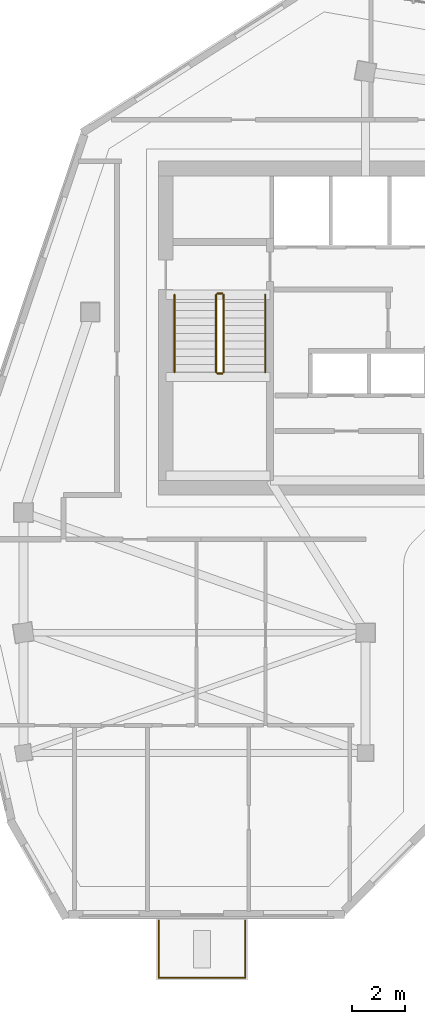
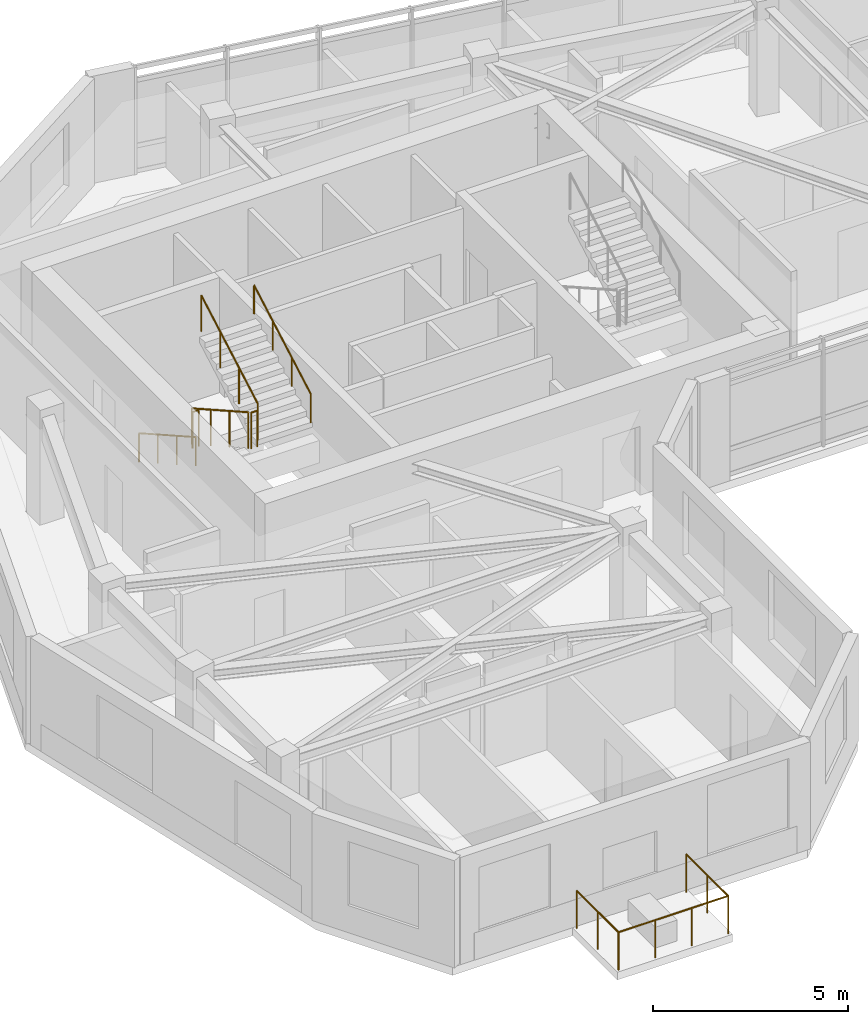
# One storey, part 8 of 10: 9 railings.
"""IFC4 building model written with IfcOpenShell, lengths in metres."""

from ifc_helpers import new_model, si_unit, direction, frame, origin, origin_2d, place, context, subcontext, project, spatial, circle, extrude, material, type_object, element, save


model = new_model("IFC4")

# Units and contexts
model_context = context("Model", 3, precision=1e-05, world=origin(), true_north=direction((0.0, 1.0)))
body_context = subcontext(model_context, "Body", "Model", "MODEL_VIEW")
ifc_project = project(units=[si_unit("LENGTHUNIT", "METRE"), si_unit("AREAUNIT", "SQUARE_METRE"), si_unit("VOLUMEUNIT", "CUBIC_METRE"), si_unit("PLANEANGLEUNIT", "RADIAN"), si_unit("MASSUNIT", "GRAM", prefix="KILO")], contexts=[model_context])

# Site, building, storey
site_placement = place(None, origin())
site = spatial("IfcSite", under=ifc_project, at=site_placement, CompositionType="ELEMENT")
building_placement = place(site_placement, origin())
building = spatial("IfcBuilding", under=site, at=building_placement, Name="Calvemar Wedge Station Tower", CompositionType="ELEMENT")
storey_placement = place(building_placement, frame((0.0, 0.0, 252.89990234375)))
storey = spatial("IfcBuildingStorey", under=building, at=storey_placement, Name="L64", CompositionType="ELEMENT", Elevation=252.89990234375)

# Railings
ifc_material_1 = material(Name="Stainless steel AISI 316L", Category="steel")
railing_type_1 = type_object("IfcRailingType", Name="GRD-TERR-1200", PredefinedType="GUARDRAIL", material=ifc_material_1)
railing_1_placement = place(storey_placement, frame((19.302001953125, 17.719970703125, 0.0)))
element("IfcRailing", 1, at=railing_1_placement, inside=storey, type_object=railing_type_1, Name="Storey L64 Spiral Terrace Guard 2", PredefinedType="GUARDRAIL", context=body_context, shape_type="SweptSolid", body=[
    extrude(circle(Radius=0.02392578125, at=origin_2d()), frame((0.0, 0.0, 1.17578125), z_axis=(0.0, -1.0, 0.0), x_axis=(1.0, 0.0, 0.0)), (0.0, 0.0, 1.0), 2.139892578125),
    extrude(circle(Radius=0.02099609375, at=origin_2d()), origin(), (0.0, 0.0, 1.0), 1.15185546875),
    extrude(circle(Radius=0.02099609375, at=origin_2d()), frame((0.0, -1.06982421875, 0.0)), (0.0, 0.0, 1.0), 1.15185546875),
    extrude(circle(Radius=0.02099609375, at=origin_2d()), frame((0.0, -2.139892578125, 0.0)), (0.0, 0.0, 1.0), 1.15185546875),
])
railing_2_placement = place(storey_placement, frame((19.302001953125, 15.580078125, 0.0)))
element("IfcRailing", 2, at=railing_2_placement, inside=storey, type_object=railing_type_1, Name="Storey L64 Spiral Terrace Guard 3", PredefinedType="GUARDRAIL", context=body_context, shape_type="SweptSolid", body=[
    extrude(circle(Radius=0.02392578125, at=origin_2d()), frame((0.0, 0.0, 1.17578125), z_axis=(-1.0, 0.0, 0.0), x_axis=(0.0, -1.0, 0.0)), (0.0, 0.0, 1.0), 3.239990234375),
    extrude(circle(Radius=0.02099609375, at=origin_2d()), origin(), (0.0, 0.0, 1.0), 1.15185546875),
    extrude(circle(Radius=0.02099609375, at=origin_2d()), frame((-1.080078125, 0.0, 0.0)), (0.0, 0.0, 1.0), 1.15185546875),
    extrude(circle(Radius=0.02099609375, at=origin_2d()), frame((-2.159912109375, 0.0, 0.0)), (0.0, 0.0, 1.0), 1.15185546875),
    extrude(circle(Radius=0.02099609375, at=origin_2d()), frame((-3.239990234375, 0.0, 0.0)), (0.0, 0.0, 1.0), 1.15185546875),
])
railing_3_placement = place(storey_placement, frame((16.06201171875, 15.580078125, 0.0)))
element("IfcRailing", 3, at=railing_3_placement, inside=storey, type_object=railing_type_1, Name="Storey L64 Spiral Terrace Guard 4", PredefinedType="GUARDRAIL", context=body_context, shape_type="SweptSolid", body=[
    extrude(circle(Radius=0.02392578125, at=origin_2d()), frame((0.0, 0.0, 1.17578125), z_axis=(0.0, 1.0, 0.0), x_axis=(-1.0, 0.0, 0.0)), (0.0, 0.0, 1.0), 2.139892578125),
    extrude(circle(Radius=0.02099609375, at=origin_2d()), origin(), (0.0, 0.0, 1.0), 1.15185546875),
    extrude(circle(Radius=0.02099609375, at=origin_2d()), frame((0.0, 1.06982421875, 0.0)), (0.0, 0.0, 1.0), 1.15185546875),
    extrude(circle(Radius=0.02099609375, at=origin_2d()), frame((0.0, 2.139892578125, 0.0)), (0.0, 0.0, 1.0), 1.15185546875),
])
railing_type_2 = type_object("IfcRailingType", Name="RL-HANDRAIL-920", PredefinedType="HANDRAIL", material=ifc_material_1)
railing_4_placement = place(storey_placement, frame((16.64990234375, 41.14990234375, 0.163818359375)))
element("IfcRailing", 4, at=railing_4_placement, inside=storey, type_object=railing_type_2, Name="L64 ST-C1 stair handrail 1", PredefinedType="HANDRAIL", context=body_context, shape_type="SweptSolid", body=[
    extrude(circle(Radius=0.02392578125, at=origin_2d()), frame((0.0, 0.0, 0.89599609375), z_axis=(0.0, -0.870928581787, 0.491409610636), x_axis=(1.0, 0.0, 0.0)), (0.0, 0.0, 1.0), 3.32958984375),
    extrude(circle(Radius=0.02099609375, at=origin_2d()), origin(), (0.0, 0.0, 1.0), 0.871826171875),
    extrude(circle(Radius=0.02099609375, at=origin_2d()), frame((0.0, -0.966552734375, 0.54541015625)), (0.0, 0.0, 1.0), 0.871826171875),
    extrude(circle(Radius=0.02099609375, at=origin_2d()), frame((0.0, -1.933349609375, 1.0908203125)), (0.0, 0.0, 1.0), 0.871826171875),
    extrude(circle(Radius=0.02099609375, at=origin_2d()), frame((0.0, -2.89990234375, 1.63623046875)), (0.0, 0.0, 1.0), 0.871826171875),
])
railing_5_placement = place(storey_placement, frame((20.050048828125, 38.25, 1.963623046875)))
element("IfcRailing", 5, at=railing_5_placement, inside=storey, type_object=railing_type_2, Name="L64 ST-C1 stair handrail 2", PredefinedType="HANDRAIL", context=body_context, shape_type="SweptSolid", body=[
    extrude(circle(Radius=0.02392578125, at=origin_2d()), frame((0.0, 0.0, 0.89599609375), z_axis=(0.0, 0.870897200241, 0.491465224214), x_axis=(-1.0, 0.0, 0.0)), (0.0, 0.0, 1.0), 3.329833984375),
    extrude(circle(Radius=0.02099609375, at=origin_2d()), origin(), (0.0, 0.0, 1.0), 0.871826171875),
    extrude(circle(Radius=0.02099609375, at=origin_2d()), frame((0.0, 0.966552734375, 0.54541015625)), (0.0, 0.0, 1.0), 0.871826171875),
    extrude(circle(Radius=0.02099609375, at=origin_2d()), frame((0.0, 1.933349609375, 1.091064453125)), (0.0, 0.0, 1.0), 0.871826171875),
    extrude(circle(Radius=0.02099609375, at=origin_2d()), frame((0.0, 2.89990234375, 1.636474609375)), (0.0, 0.0, 1.0), 0.871826171875),
])
ifc_material_2 = material(Name="Painted steel guardrail ASTM A500 Grade C", Category="steel")
railing_type_3 = type_object("IfcRailingType", Name="RL-STAIR-GUARD-1150", PredefinedType="GUARDRAIL", material=ifc_material_2)
railing_6_placement = place(storey_placement, frame((18.2099609375, 41.14990234375, 0.163818359375)))
element("IfcRailing", 6, at=railing_6_placement, inside=storey, type_object=railing_type_3, Name="L64 ST-C1 stair guard 1", PredefinedType="GUARDRAIL", context=body_context, shape_type="SweptSolid", body=[
    extrude(circle(Radius=0.02392578125, at=origin_2d()), frame((0.0, 0.0, 1.1259765625), z_axis=(0.0, -0.870928581787, 0.491409610636), x_axis=(1.0, 0.0, 0.0)), (0.0, 0.0, 1.0), 3.32958984375),
    extrude(circle(Radius=0.02099609375, at=origin_2d()), origin(), (0.0, 0.0, 1.0), 1.101806640625),
    extrude(circle(Radius=0.02099609375, at=origin_2d()), frame((0.0, -0.966552734375, 0.54541015625)), (0.0, 0.0, 1.0), 1.101806640625),
    extrude(circle(Radius=0.02099609375, at=origin_2d()), frame((0.0, -1.933349609375, 1.0908203125)), (0.0, 0.0, 1.0), 1.101806640625),
    extrude(circle(Radius=0.02099609375, at=origin_2d()), frame((0.0, -2.89990234375, 1.63623046875)), (0.0, 0.0, 1.0), 1.101806640625),
])
railing_7_placement = place(storey_placement, frame((18.260009765625, 38.199951171875, 1.800048828125)))
element("IfcRailing", 7, at=railing_7_placement, inside=storey, type_object=railing_type_3, Name="L64 ST-C1 stair guard 2", PredefinedType="GUARDRAIL", context=body_context, shape_type="SweptSolid", body=[
    extrude(circle(Radius=0.02392578125, at=origin_2d()), frame((0.0, 0.0, 1.1259765625), z_axis=(1.0, 0.0, 0.0), x_axis=(0.0, 1.0, 0.0)), (0.0, 0.0, 1.0), 0.179931640625),
    extrude(circle(Radius=0.02099609375, at=origin_2d()), origin(), (0.0, 0.0, 1.0), 1.101806640625),
    extrude(circle(Radius=0.02099609375, at=origin_2d()), frame((0.179931640625, 0.0, 0.0)), (0.0, 0.0, 1.0), 1.101806640625),
])
railing_8_placement = place(storey_placement, frame((18.489990234375, 38.25, 1.963623046875)))
element("IfcRailing", 8, at=railing_8_placement, inside=storey, type_object=railing_type_3, Name="L64 ST-C1 stair guard 3", PredefinedType="GUARDRAIL", context=body_context, shape_type="SweptSolid", body=[
    extrude(circle(Radius=0.02392578125, at=origin_2d()), frame((0.0, 0.0, 1.1259765625), z_axis=(0.0, 0.870897200241, 0.491465224214), x_axis=(-1.0, 0.0, 0.0)), (0.0, 0.0, 1.0), 3.329833984375),
    extrude(circle(Radius=0.02099609375, at=origin_2d()), origin(), (0.0, 0.0, 1.0), 1.101806640625),
    extrude(circle(Radius=0.02099609375, at=origin_2d()), frame((0.0, 0.966552734375, 0.54541015625)), (0.0, 0.0, 1.0), 1.101806640625),
    extrude(circle(Radius=0.02099609375, at=origin_2d()), frame((0.0, 1.933349609375, 1.091064453125)), (0.0, 0.0, 1.0), 1.101806640625),
    extrude(circle(Radius=0.02099609375, at=origin_2d()), frame((0.0, 2.89990234375, 1.636474609375)), (0.0, 0.0, 1.0), 1.101806640625),
])
railing_9_placement = place(storey_placement, frame((18.260009765625, 41.199951171875, 0.0)))
element("IfcRailing", 9, at=railing_9_placement, inside=storey, type_object=railing_type_3, Name="L64 ST-C1 stair guard 4", PredefinedType="GUARDRAIL", context=body_context, shape_type="SweptSolid", body=[
    extrude(circle(Radius=0.02392578125, at=origin_2d()), frame((0.0, 0.0, 1.1259765625), z_axis=(1.0, 0.0, 0.0), x_axis=(0.0, 1.0, 0.0)), (0.0, 0.0, 1.0), 0.179931640625),
    extrude(circle(Radius=0.02099609375, at=origin_2d()), origin(), (0.0, 0.0, 1.0), 1.101806640625),
    extrude(circle(Radius=0.02099609375, at=origin_2d()), frame((0.179931640625, 0.0, 0.0)), (0.0, 0.0, 1.0), 1.101806640625),
])

save(model, "model.ifc")
